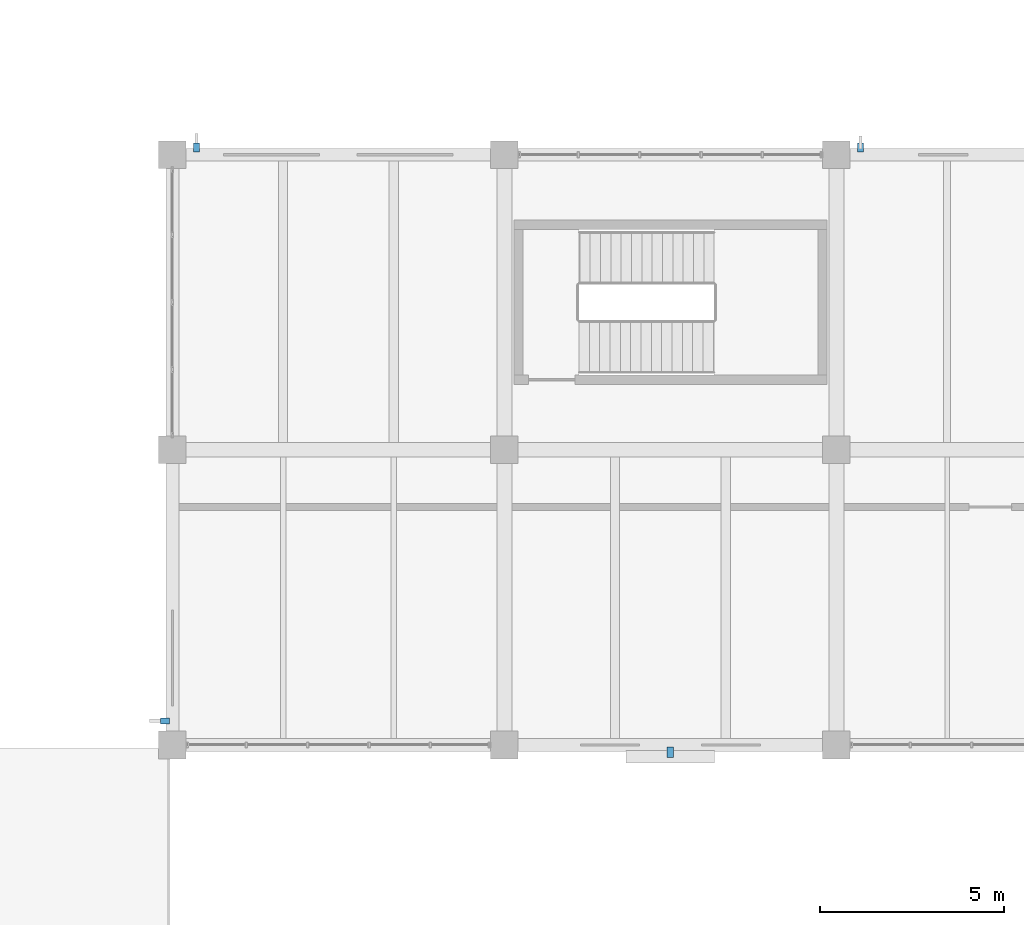
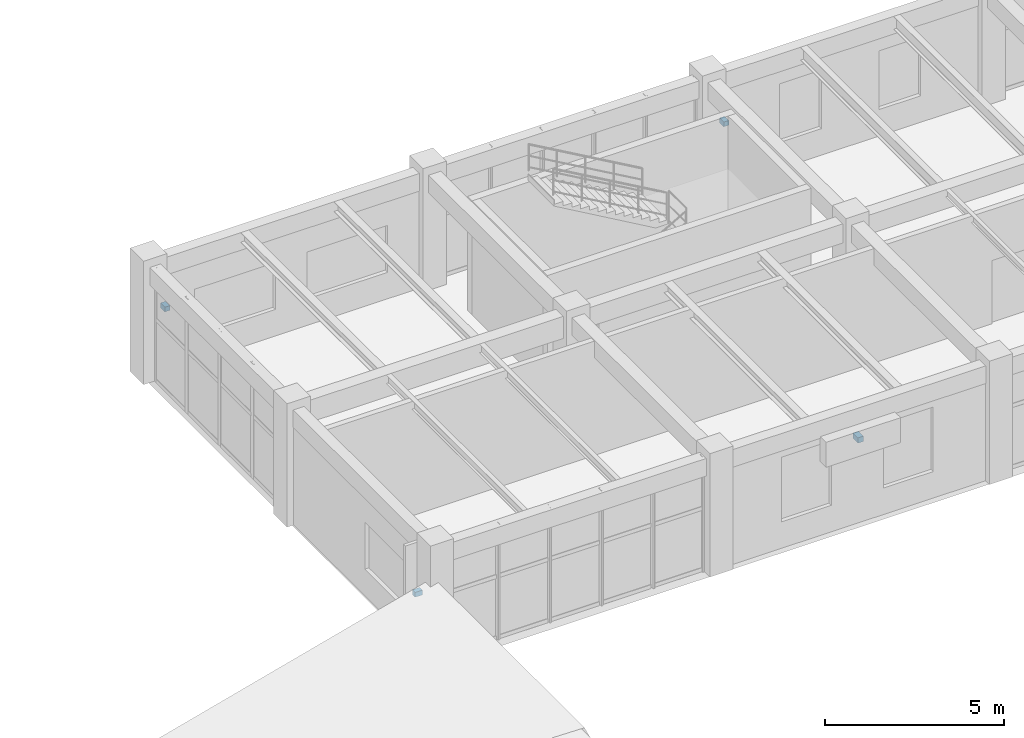
# One storey, part 136 of 148: 4 discrete accessories.
"""IFC4 building model written with IfcOpenShell, lengths in metres."""

from ifc_helpers import new_model, si_unit, derived_unit, direction, frame, origin, origin_2d, place, context, subcontext, project, spatial, rectangle, extrude, material, type_object, element, save


model = new_model("IFC4")

# Units and contexts
model_context = context("Model", 3, precision=1e-05, world=origin(), true_north=direction((0.0, 1.0)))
body_context = subcontext(model_context, "Body", "Model", "MODEL_VIEW")
ifc_project = project(units=[si_unit("LENGTHUNIT", "METRE"), si_unit("AREAUNIT", "SQUARE_METRE"), si_unit("VOLUMEUNIT", "CUBIC_METRE"), si_unit("PLANEANGLEUNIT", "RADIAN"), si_unit("MASSUNIT", "GRAM", prefix="KILO"), derived_unit("THERMALTRANSMITTANCEUNIT", [(si_unit("MASSUNIT", "GRAM", prefix="KILO"), 1), (si_unit("TIMEUNIT", "SECOND"), -3), (si_unit("THERMODYNAMICTEMPERATUREUNIT", "KELVIN"), -1)])], contexts=[model_context])

# Site, building, storey
site_placement = place(None, origin())
site = spatial("IfcSite", under=ifc_project, at=site_placement, CompositionType="ELEMENT")
building_placement = place(site_placement, origin())
building = spatial("IfcBuilding", under=site, at=building_placement, Name="Zhenchuan Archway Interchange", CompositionType="ELEMENT")
storey_placement = place(building_placement, frame((0.0, 0.0, 10.199951171875)))
storey = spatial("IfcBuildingStorey", under=building, at=storey_placement, Name="L02", CompositionType="ELEMENT", Elevation=10.199951171875)

# Discrete accessories
ifc_material = material(Name="Stainless Steel 316", Category="steel")
discrete_accessory_type_1 = type_object("IfcDiscreteAccessoryType", Name="BRK_SHD_1", PredefinedType="BRACKET", material=ifc_material)
for number, where, z_axis, x_axis, name in (
    (1, (107.800048828125, 88.653076171875, 1.8701171875), (0.0, 0.0, 1.0), (0.0, 1.0, 0.0), "Solar fin stainless fixing bracket L02-083"),
    (2, (108.653076171875, 104.199951171875, 1.8701171875), (0.0, 0.0, 1.0), (1.0, 0.0, 0.0), "Solar fin stainless fixing bracket L02-084"),
    (3, (126.653076171875, 104.199951171875, 1.8701171875), (0.0, 0.0, 1.0), (1.0, 0.0, 0.0), "Solar fin stainless fixing bracket L02-085"),
):
    element("IfcDiscreteAccessory", number, at=place(storey_placement, frame(where, z_axis=z_axis, x_axis=x_axis)), inside=storey, type_object=discrete_accessory_type_1, Name=name, PredefinedType="BRACKET", context=body_context, shape_type="SweptSolid", body=[
        extrude(rectangle(XDim=0.159912109375, YDim=0.239990234375, at=origin_2d()), origin(), (0.0, 0.0, 1.0), 0.159912109375),
    ])
discrete_accessory_type_2 = type_object("IfcDiscreteAccessoryType", Name="BRK_SHD_2", PredefinedType="BRACKET", material=ifc_material)
discrete_accessory_placement = place(storey_placement, frame((121.5, 87.800048828125, 2.85986328125), z_axis=(0.0, 0.0, 1.0), x_axis=(-1.0, 0.0, 0.0)))
element("IfcDiscreteAccessory", 4, at=discrete_accessory_placement, inside=storey, type_object=discrete_accessory_type_2, Name="Storm-louvre stainless fixing bracket L02-082", PredefinedType="BRACKET", context=body_context, shape_type="SweptSolid", body=[
    extrude(rectangle(XDim=0.179931640625, YDim=0.280029296875, at=origin_2d()), origin(), (0.0, 0.0, 1.0), 0.179931640625),
])

save(model, "model.ifc")
